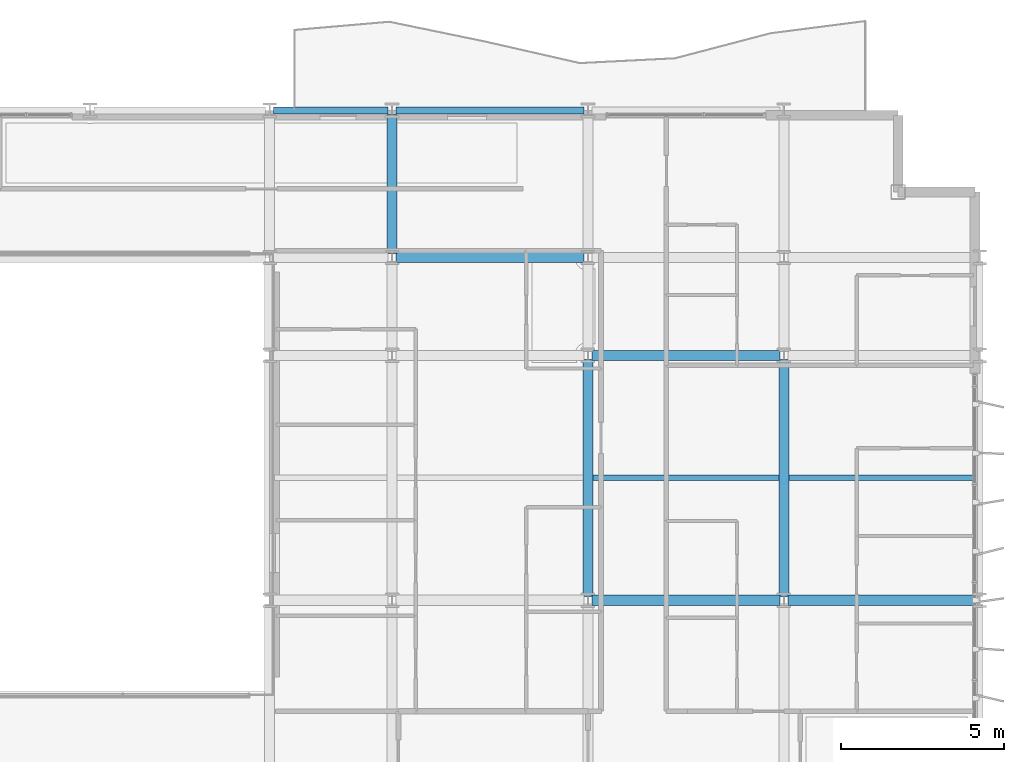
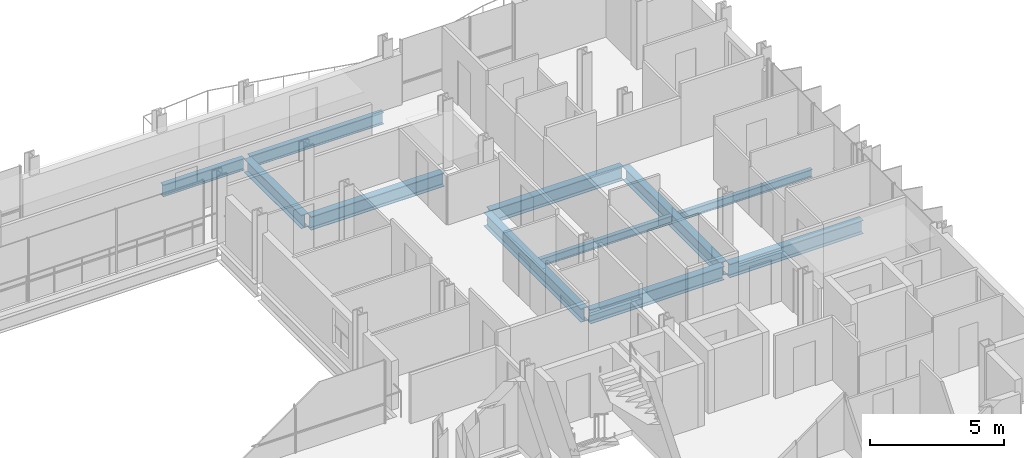
# One storey, part 18 of 38: 11 beams.
"""IFC4 building model written with IfcOpenShell, lengths in metres."""

from ifc_helpers import new_model, si_unit, direction, frame, origin, origin_2d, place, context, subcontext, project, spatial, i_section, extrude, material, material_profile, profile_set, type_object, element, save


model = new_model("IFC4")

# Units and contexts
model_context = context("Model", 3, precision=1e-05, world=origin(), true_north=direction((0.0, 1.0)))
body_context = subcontext(model_context, "Body", "Model", "MODEL_VIEW")
ifc_project = project(units=[si_unit("LENGTHUNIT", "METRE"), si_unit("AREAUNIT", "SQUARE_METRE"), si_unit("VOLUMEUNIT", "CUBIC_METRE"), si_unit("PLANEANGLEUNIT", "RADIAN"), si_unit("MASSUNIT", "GRAM", prefix="KILO")], contexts=[model_context])

# Site, building, storey
site_placement = place(None, origin())
site = spatial("IfcSite", under=ifc_project, at=site_placement, CompositionType="ELEMENT")
building_placement = place(site_placement, origin())
building = spatial("IfcBuilding", under=site, at=building_placement, Name="Brevholm Reach", CompositionType="ELEMENT")
storey_placement = place(building_placement, frame((0.0, 0.0, 71.39990234375)))
storey = spatial("IfcBuildingStorey", under=building, at=storey_placement, Name="L20", CompositionType="ELEMENT", Elevation=71.39990234375)

# Beams
ifc_material_1 = material(Name="Structural Steel S355J2", Category="steel")
ifc_material_profile_1 = material_profile(ifc_material_1, i_section(OverallWidth=0.17138671875, OverallDepth=0.35498046875, WebThickness=0.00732421875, FlangeThickness=0.011474609375, FilletRadius=0.01025390625, at=origin_2d()), Name="UKB 356x171x51")
ifc_profile_set_1 = profile_set([ifc_material_profile_1], Name="Structural Steel S355J2")
beam_type_1 = type_object("IfcBeamType", Name="BM-B356", PredefinedType="BEAM", material=ifc_profile_set_1)
beam_1_placement = place(storey_placement, frame((48.153564453125, 19.75, -0.407470703125), z_axis=(1.0, 0.0, 0.0), x_axis=(0.0, 1.0, 0.0)))
element("IfcBeam", 1, at=beam_1_placement, inside=storey, type_object=beam_type_1, Name="L20 Composite Secondary Floor Beam", PredefinedType="BEAM", context=body_context, shape_type="SweptSolid", body=[
    extrude(i_section(OverallWidth=0.17138671875, OverallDepth=0.35498046875, WebThickness=0.00732421875, FlangeThickness=0.011474609375, FilletRadius=0.01025390625, at=origin_2d()), origin(), (0.0, 0.0, 1.0), 5.69287109375),
])
beam_2_placement = place(storey_placement, frame((54.153564453125, 19.75, -0.407470703125), z_axis=(1.0, 0.0, 0.0), x_axis=(0.0, 1.0, 0.0)))
element("IfcBeam", 2, at=beam_2_placement, inside=storey, type_object=beam_type_1, Name="L20 Composite Secondary Floor Beam", PredefinedType="BEAM", context=body_context, shape_type="SweptSolid", body=[
    extrude(i_section(OverallWidth=0.17138671875, OverallDepth=0.35498046875, WebThickness=0.00732421875, FlangeThickness=0.011474609375, FilletRadius=0.01025390625, at=origin_2d()), origin(), (0.0, 0.0, 1.0), 5.740966796875),
])
ifc_material_2 = material(Name="Structural Steel S355J2", Category="steel")
ifc_material_profile_2 = material_profile(ifc_material_2, i_section(OverallWidth=0.210693359375, OverallDepth=0.53955078125, WebThickness=0.01171875, FlangeThickness=0.018798828125, FilletRadius=0.0126953125, at=origin_2d()), Name="UKB 533x210x109")
ifc_profile_set_2 = profile_set([ifc_material_profile_2], Name="Structural Steel S355J2")
beam_type_2 = type_object("IfcBeamType", Name="BM-SP539", PredefinedType="SPANDREL", material=ifc_profile_set_2)
beam_3_placement = place(storey_placement, frame((38.3701171875, 31.0, -0.499755859375), z_axis=(1.0, 0.0, 0.0), x_axis=(0.0, 1.0, 0.0)))
element("IfcBeam", 3, at=beam_3_placement, inside=storey, type_object=beam_type_2, Name="L20 SP-01B Framing Beam", PredefinedType="SPANDREL", context=body_context, shape_type="SweptSolid", body=[
    extrude(i_section(OverallWidth=0.210693359375, OverallDepth=0.53955078125, WebThickness=0.01171875, FlangeThickness=0.018798828125, FilletRadius=0.0126953125, at=origin_2d()), origin(), (0.0, 0.0, 1.0), 3.509765625),
])
beam_4_placement = place(storey_placement, frame((42.1201171875, 31.0, -0.499755859375), z_axis=(1.0, 0.0, 0.0), x_axis=(0.0, 1.0, 0.0)))
element("IfcBeam", 4, at=beam_4_placement, inside=storey, type_object=beam_type_2, Name="L20 SP-01B Framing Beam", PredefinedType="SPANDREL", context=body_context, shape_type="SweptSolid", body=[
    extrude(i_section(OverallWidth=0.210693359375, OverallDepth=0.53955078125, WebThickness=0.01171875, FlangeThickness=0.018798828125, FilletRadius=0.0126953125, at=origin_2d()), origin(), (0.0, 0.0, 1.0), 5.759765625),
])
ifc_material_3 = material(Name="Structural Steel S355J2", Category="steel")
ifc_material_profile_3 = material_profile(ifc_material_3, i_section(OverallWidth=0.30712890625, OverallDepth=0.6201171875, WebThickness=0.01416015625, FlangeThickness=0.023681640625, FilletRadius=0.0166015625, at=origin_2d()), Name="UKB 610x305x179")
ifc_profile_set_3 = profile_set([ifc_material_profile_3], Name="Structural Steel S355J2")
beam_type_3 = type_object("IfcBeamType", Name="BM-UKB610H", PredefinedType="USERDEFINED", material=ifc_profile_set_3)
for number, where, z_axis, x_axis, name in (
    (5, (48.1201171875, 16.0, -0.5400390625), (1.0, 0.0, 0.0), (0.0, 1.0, 0.0), "L20 G-06 Framing Beam"),
    (6, (54.1201171875, 16.0, -0.5400390625), (1.0, 0.0, 0.0), (0.0, 1.0, 0.0), "L20 G-06 Framing Beam"),
    (7, (48.1201171875, 23.5, -0.5400390625), (1.0, 0.0, 0.0), (0.0, 1.0, 0.0), "L20 G-06 Framing Beam"),
    (8, (42.1201171875, 26.5, -0.5400390625), (1.0, 0.0, 0.0), (0.0, 1.0, 0.0), "L20 G-06 Framing Beam"),
):
    element("IfcBeam", number, at=place(storey_placement, frame(where, z_axis=z_axis, x_axis=x_axis)), inside=storey, type_object=beam_type_3, Name=name, ObjectType="GIRDER", PredefinedType="USERDEFINED", context=body_context, shape_type="SweptSolid", body=[
        extrude(i_section(OverallWidth=0.30712890625, OverallDepth=0.6201171875, WebThickness=0.01416015625, FlangeThickness=0.023681640625, FilletRadius=0.0166015625, at=origin_2d()), origin(), (0.0, 0.0, 1.0), 5.759765625),
    ])
beam_5_placement = place(storey_placement, frame((42.0, 26.6201171875, -0.5400390625), z_axis=(0.0, 1.0, 0.0), x_axis=(-1.0, 0.0, 0.0)))
element("IfcBeam", 9, at=beam_5_placement, inside=storey, type_object=beam_type_3, Name="L20 G-06 Framing Beam", ObjectType="GIRDER", PredefinedType="USERDEFINED", context=body_context, shape_type="SweptSolid", body=[
    extrude(i_section(OverallWidth=0.30712890625, OverallDepth=0.6201171875, WebThickness=0.01416015625, FlangeThickness=0.023681640625, FilletRadius=0.0166015625, at=origin_2d()), origin(), (0.0, 0.0, 1.0), 4.259765625),
])
for number, where, z_axis, x_axis, name in (
    (10, (48.0, 16.1201171875, -0.5400390625), (0.0, 1.0, 0.0), (-1.0, 0.0, 0.0), "L20 G-06 Framing Beam"),
    (11, (54.0, 16.1201171875, -0.5400390625), (0.0, 1.0, 0.0), (-1.0, 0.0, 0.0), "L20 G-06 Framing Beam"),
):
    element("IfcBeam", number, at=place(storey_placement, frame(where, z_axis=z_axis, x_axis=x_axis)), inside=storey, type_object=beam_type_3, Name=name, ObjectType="GIRDER", PredefinedType="USERDEFINED", context=body_context, shape_type="SweptSolid", body=[
        extrude(i_section(OverallWidth=0.30712890625, OverallDepth=0.6201171875, WebThickness=0.01416015625, FlangeThickness=0.023681640625, FilletRadius=0.0166015625, at=origin_2d()), origin(), (0.0, 0.0, 1.0), 7.259765625),
    ])

save(model, "model.ifc")
